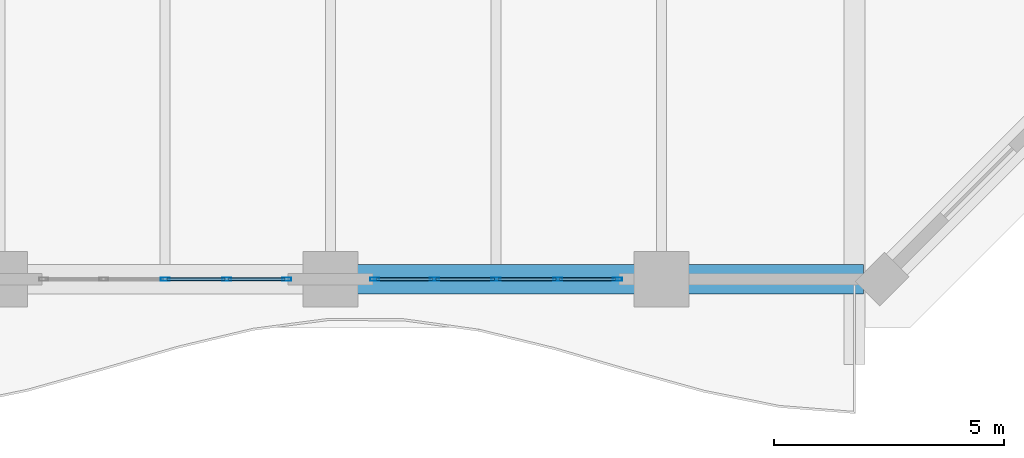
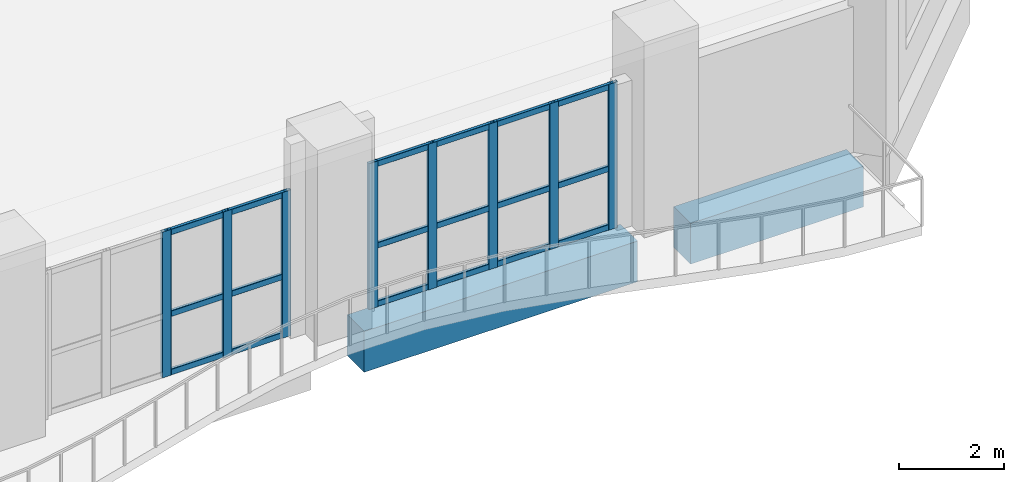
# One storey, part 18 of 37: 26 members, 2 beams, 2 elements without a shape of their own.
"""IFC4 building model written with IfcOpenShell, lengths in metres."""

from ifc_helpers import new_model, si_unit, direction, frame, origin, origin_2d, place, context, subcontext, project, spatial, rectangle, hollow_rectangle, extrude, material, layer, layer_set, material_profile, profile_set, type_object, element, aggregate, save


model = new_model("IFC4")

# Units and contexts
model_context = context("Model", 3, precision=1e-05, world=origin(), true_north=direction((0.0, 1.0)))
body_context = subcontext(model_context, "Body", "Model", "MODEL_VIEW")
ifc_project = project(units=[si_unit("LENGTHUNIT", "METRE"), si_unit("AREAUNIT", "SQUARE_METRE"), si_unit("VOLUMEUNIT", "CUBIC_METRE"), si_unit("PLANEANGLEUNIT", "RADIAN"), si_unit("MASSUNIT", "GRAM", prefix="KILO")], contexts=[model_context])

# Site, building, storey
site_placement = place(None, origin())
site = spatial("IfcSite", under=ifc_project, at=site_placement, CompositionType="ELEMENT")
building_placement = place(site_placement, origin())
building = spatial("IfcBuilding", under=site, at=building_placement, Name="Kaelvorn Grand Hotel", CompositionType="ELEMENT")
storey_placement = place(building_placement, frame((0.0, 0.0, 130.550048828125)))
storey = spatial("IfcBuildingStorey", under=building, at=storey_placement, Name="L31", CompositionType="ELEMENT", Elevation=130.550048828125)

# Beams
ifc_material_1 = material(Name="Concrete C60/75", Category="concrete")
ifc_material_profile_1 = material_profile(ifc_material_1, rectangle(XDim=0.64990234375, YDim=0.949951171875, at=origin_2d()), Name="RC SPANDREL 650x950")
ifc_profile_set_1 = profile_set([ifc_material_profile_1], Name="Concrete C60/75")
beam_type = type_object("IfcBeamType", Name="BM-SP-650x950-C60", PredefinedType="SPANDREL", material=ifc_profile_set_1)
beam_1_placement = place(storey_placement, frame((68.385009765625, 0.0, -0.715087890625), z_axis=(1.0, 0.0, 0.0), x_axis=(0.0, 1.0, 0.0)))
element("IfcBeam", 1, at=beam_1_placement, inside=storey, type_object=beam_type, Name="L31 South Perimeter Spandrel 10", PredefinedType="SPANDREL", context=body_context, shape_type="SweptSolid", body=[
    extrude(rectangle(XDim=0.64990234375, YDim=0.949951171875, at=origin_2d()), origin(), (0.0, 0.0, 1.0), 6.030029296875),
])
beam_2_placement = place(storey_placement, frame((75.5849609375, 0.0, -0.715087890625), z_axis=(1.0, 0.0, 0.0), x_axis=(0.0, 1.0, 0.0)))
element("IfcBeam", 2, at=beam_2_placement, inside=storey, type_object=beam_type, Name="L31 South Perimeter Spandrel 11", PredefinedType="SPANDREL", context=body_context, shape_type="SweptSolid", body=[
    extrude(rectangle(XDim=0.64990234375, YDim=0.949951171875, at=origin_2d()), origin(), (0.0, 0.0, 1.0), 3.81005859375),
])

# Curtain wall, members
ifc_material_2 = material(Name="Anodised Aluminium", Category="aluminium")
ifc_layer = layer(ifc_material_2, 0.199951171875)
ifc_layer_set = layer_set([ifc_layer], Name="Anodised Aluminium")
curtain_wall_type = type_object("IfcCurtainWallType", Name="CW-SYS3", PredefinedType="NOTDEFINED", material=ifc_layer_set)
curtain_wall_1_placement = place(storey_placement, origin())
curtain_wall_1 = element("IfcCurtainWall", 3, at=curtain_wall_1_placement, inside=storey, type_object=curtain_wall_type, Name="L31 Unitised Curtain Wall CW3 (CW-L31-SB4-01)", PredefinedType="NOTDEFINED")
ifc_material_profile_2 = material_profile(ifc_material_2, hollow_rectangle(XDim=0.074951171875, YDim=0.199951171875, WallThickness=0.00390625, InnerFilletRadius=0.00390625, OuterFilletRadius=0.008056640625, at=origin_2d()), Name="ALU MULL 75x200")
ifc_profile_set_2 = profile_set([ifc_material_profile_2], Name="Anodised Aluminium")
member_type_1 = type_object("IfcMemberType", Name="CW-SYS3-MULL", PredefinedType="MULLION", material=ifc_profile_set_2)
member_1_placement = place(storey_placement, frame((64.199951171875, 0.0, 0.0), z_axis=(0.0, 0.0, 1.0), x_axis=(0.0, 1.0, 0.0)))
member_1 = element("IfcMember", 4, at=member_1_placement, type_object=member_type_1, Name="CW3 mullion 3", PredefinedType="MULLION", context=body_context, shape_type="SweptSolid", body=[
    extrude(hollow_rectangle(XDim=0.074951171875, YDim=0.199951171875, WallThickness=0.00390625, InnerFilletRadius=0.00390625, OuterFilletRadius=0.008056640625, at=origin_2d()), origin(), (0.0, 0.0, 1.0), 3.39990234375),
])
member_2_placement = place(storey_placement, frame((65.5400390625, 0.0, 0.0), z_axis=(0.0, 0.0, 1.0), x_axis=(0.0, 1.0, 0.0)))
member_2 = element("IfcMember", 5, at=member_2_placement, type_object=member_type_1, Name="CW3 mullion 4", PredefinedType="MULLION", context=body_context, shape_type="SweptSolid", body=[
    extrude(hollow_rectangle(XDim=0.074951171875, YDim=0.199951171875, WallThickness=0.00390625, InnerFilletRadius=0.00390625, OuterFilletRadius=0.008056640625, at=origin_2d()), origin(), (0.0, 0.0, 1.0), 3.39990234375),
])
member_3_placement = place(storey_placement, frame((66.842529296875, 0.0, 0.0), z_axis=(0.0, 0.0, 1.0), x_axis=(0.0, 1.0, 0.0)))
member_3 = element("IfcMember", 6, at=member_3_placement, type_object=member_type_1, Name="CW3 mullion 5", PredefinedType="MULLION", context=body_context, shape_type="SweptSolid", body=[
    extrude(hollow_rectangle(XDim=0.074951171875, YDim=0.199951171875, WallThickness=0.00390625, InnerFilletRadius=0.00390625, OuterFilletRadius=0.008056640625, at=origin_2d()), origin(), (0.0, 0.0, 1.0), 3.39990234375),
])

curtain_wall_2_placement = place(storey_placement, origin())
curtain_wall_2 = element("IfcCurtainWall", 7, at=curtain_wall_2_placement, inside=storey, type_object=curtain_wall_type, Name="L31 Unitised Curtain Wall CW3 (CW-L31-SB4-02)", PredefinedType="NOTDEFINED")
member_4_placement = place(storey_placement, frame((68.757568359375, 0.0, 0.0), z_axis=(0.0, 0.0, 1.0), x_axis=(0.0, 1.0, 0.0)))
member_4 = element("IfcMember", 8, at=member_4_placement, type_object=member_type_1, Name="CW3 mullion 1", PredefinedType="MULLION", context=body_context, shape_type="SweptSolid", body=[
    extrude(hollow_rectangle(XDim=0.074951171875, YDim=0.199951171875, WallThickness=0.00390625, InnerFilletRadius=0.00390625, OuterFilletRadius=0.008056640625, at=origin_2d()), origin(), (0.0, 0.0, 1.0), 3.39990234375),
])
member_5_placement = place(storey_placement, frame((70.06005859375, 0.0, 0.0), z_axis=(0.0, 0.0, 1.0), x_axis=(0.0, 1.0, 0.0)))
member_5 = element("IfcMember", 9, at=member_5_placement, type_object=member_type_1, Name="CW3 mullion 2", PredefinedType="MULLION", context=body_context, shape_type="SweptSolid", body=[
    extrude(hollow_rectangle(XDim=0.074951171875, YDim=0.199951171875, WallThickness=0.00390625, InnerFilletRadius=0.00390625, OuterFilletRadius=0.008056640625, at=origin_2d()), origin(), (0.0, 0.0, 1.0), 3.39990234375),
])
member_6_placement = place(storey_placement, frame((71.39990234375, 0.0, 0.0), z_axis=(0.0, 0.0, 1.0), x_axis=(0.0, 1.0, 0.0)))
member_6 = element("IfcMember", 10, at=member_6_placement, type_object=member_type_1, Name="CW3 mullion 3", PredefinedType="MULLION", context=body_context, shape_type="SweptSolid", body=[
    extrude(hollow_rectangle(XDim=0.074951171875, YDim=0.199951171875, WallThickness=0.00390625, InnerFilletRadius=0.00390625, OuterFilletRadius=0.008056640625, at=origin_2d()), origin(), (0.0, 0.0, 1.0), 3.39990234375),
])
member_7_placement = place(storey_placement, frame((72.739990234375, 0.0, 0.0), z_axis=(0.0, 0.0, 1.0), x_axis=(0.0, 1.0, 0.0)))
member_7 = element("IfcMember", 11, at=member_7_placement, type_object=member_type_1, Name="CW3 mullion 4", PredefinedType="MULLION", context=body_context, shape_type="SweptSolid", body=[
    extrude(hollow_rectangle(XDim=0.074951171875, YDim=0.199951171875, WallThickness=0.00390625, InnerFilletRadius=0.00390625, OuterFilletRadius=0.008056640625, at=origin_2d()), origin(), (0.0, 0.0, 1.0), 3.39990234375),
])
member_8_placement = place(storey_placement, frame((74.04248046875, 0.0, 0.0), z_axis=(0.0, 0.0, 1.0), x_axis=(0.0, 1.0, 0.0)))
member_8 = element("IfcMember", 12, at=member_8_placement, type_object=member_type_1, Name="CW3 mullion 5", PredefinedType="MULLION", context=body_context, shape_type="SweptSolid", body=[
    extrude(hollow_rectangle(XDim=0.074951171875, YDim=0.199951171875, WallThickness=0.00390625, InnerFilletRadius=0.00390625, OuterFilletRadius=0.008056640625, at=origin_2d()), origin(), (0.0, 0.0, 1.0), 3.39990234375),
])

# Member
ifc_material_profile_3 = material_profile(ifc_material_2, hollow_rectangle(XDim=0.070068359375, YDim=0.135009765625, WallThickness=0.00341796875, InnerFilletRadius=0.00341796875, OuterFilletRadius=0.007080078125, at=origin_2d()), Name="ALU TRAN 70x135")
ifc_profile_set_3 = profile_set([ifc_material_profile_3], Name="Anodised Aluminium")
member_type_2 = type_object("IfcMemberType", Name="CW-SYS3-TRAN", PredefinedType="NOTDEFINED", material=ifc_profile_set_3)
member_9_placement = place(storey_placement, frame((64.237548828125, 0.0, 0.0673828125), z_axis=(1.0, 0.0, 0.0), x_axis=(0.0, 1.0, 0.0)))
member_9 = element("IfcMember", 13, at=member_9_placement, type_object=member_type_2, Name="CW3 transom 3.1", ObjectType="TRANSOM", PredefinedType="USERDEFINED", context=body_context, shape_type="SweptSolid", body=[
    extrude(hollow_rectangle(XDim=0.070068359375, YDim=0.135009765625, WallThickness=0.00341796875, InnerFilletRadius=0.00341796875, OuterFilletRadius=0.007080078125, at=origin_2d()), origin(), (0.0, 0.0, 1.0), 1.264892578125),
])

member_10_placement = place(storey_placement, frame((64.237548828125, 0.0, 1.427978515625), z_axis=(1.0, 0.0, 0.0), x_axis=(0.0, 1.0, 0.0)))
member_10 = element("IfcMember", 14, at=member_10_placement, type_object=member_type_2, Name="CW3 transom 3.2", ObjectType="TRANSOM", PredefinedType="USERDEFINED", context=body_context, shape_type="SweptSolid", body=[
    extrude(hollow_rectangle(XDim=0.070068359375, YDim=0.135009765625, WallThickness=0.00341796875, InnerFilletRadius=0.00341796875, OuterFilletRadius=0.007080078125, at=origin_2d()), origin(), (0.0, 0.0, 1.0), 1.264892578125),
])

member_11_placement = place(storey_placement, frame((64.237548828125, 0.0, 3.33251953125), z_axis=(1.0, 0.0, 0.0), x_axis=(0.0, 1.0, 0.0)))
member_11 = element("IfcMember", 15, at=member_11_placement, type_object=member_type_2, Name="CW3 transom 3.3", ObjectType="TRANSOM", PredefinedType="USERDEFINED", context=body_context, shape_type="SweptSolid", body=[
    extrude(hollow_rectangle(XDim=0.070068359375, YDim=0.135009765625, WallThickness=0.00341796875, InnerFilletRadius=0.00341796875, OuterFilletRadius=0.007080078125, at=origin_2d()), origin(), (0.0, 0.0, 1.0), 1.264892578125),
])

member_12_placement = place(storey_placement, frame((65.577392578125, 0.0, 0.0673828125), z_axis=(1.0, 0.0, 0.0), x_axis=(0.0, 1.0, 0.0)))
member_12 = element("IfcMember", 16, at=member_12_placement, type_object=member_type_2, Name="CW3 transom 4.1", ObjectType="TRANSOM", PredefinedType="USERDEFINED", context=body_context, shape_type="SweptSolid", body=[
    extrude(hollow_rectangle(XDim=0.070068359375, YDim=0.135009765625, WallThickness=0.00341796875, InnerFilletRadius=0.00341796875, OuterFilletRadius=0.007080078125, at=origin_2d()), origin(), (0.0, 0.0, 1.0), 1.2275390625),
])

member_13_placement = place(storey_placement, frame((65.577392578125, 0.0, 1.427978515625), z_axis=(1.0, 0.0, 0.0), x_axis=(0.0, 1.0, 0.0)))
member_13 = element("IfcMember", 17, at=member_13_placement, type_object=member_type_2, Name="CW3 transom 4.2", ObjectType="TRANSOM", PredefinedType="USERDEFINED", context=body_context, shape_type="SweptSolid", body=[
    extrude(hollow_rectangle(XDim=0.070068359375, YDim=0.135009765625, WallThickness=0.00341796875, InnerFilletRadius=0.00341796875, OuterFilletRadius=0.007080078125, at=origin_2d()), origin(), (0.0, 0.0, 1.0), 1.2275390625),
])

member_14_placement = place(storey_placement, frame((65.577392578125, 0.0, 3.33251953125), z_axis=(1.0, 0.0, 0.0), x_axis=(0.0, 1.0, 0.0)))
member_14 = element("IfcMember", 18, at=member_14_placement, type_object=member_type_2, Name="CW3 transom 4.3", ObjectType="TRANSOM", PredefinedType="USERDEFINED", context=body_context, shape_type="SweptSolid", body=[
    extrude(hollow_rectangle(XDim=0.070068359375, YDim=0.135009765625, WallThickness=0.00341796875, InnerFilletRadius=0.00341796875, OuterFilletRadius=0.007080078125, at=origin_2d()), origin(), (0.0, 0.0, 1.0), 1.2275390625),
])

aggregate(curtain_wall_1, [member_1, member_2, member_3, member_9, member_10, member_11, member_12, member_13, member_14])

member_15_placement = place(storey_placement, frame((68.794921875, 0.0, 0.0673828125), z_axis=(1.0, 0.0, 0.0), x_axis=(0.0, 1.0, 0.0)))
member_15 = element("IfcMember", 19, at=member_15_placement, type_object=member_type_2, Name="CW3 transom 1.1", ObjectType="TRANSOM", PredefinedType="USERDEFINED", context=body_context, shape_type="SweptSolid", body=[
    extrude(hollow_rectangle(XDim=0.070068359375, YDim=0.135009765625, WallThickness=0.00341796875, InnerFilletRadius=0.00341796875, OuterFilletRadius=0.007080078125, at=origin_2d()), origin(), (0.0, 0.0, 1.0), 1.2275390625),
])

member_16_placement = place(storey_placement, frame((68.794921875, 0.0, 1.427978515625), z_axis=(1.0, 0.0, 0.0), x_axis=(0.0, 1.0, 0.0)))
member_16 = element("IfcMember", 20, at=member_16_placement, type_object=member_type_2, Name="CW3 transom 1.2", ObjectType="TRANSOM", PredefinedType="USERDEFINED", context=body_context, shape_type="SweptSolid", body=[
    extrude(hollow_rectangle(XDim=0.070068359375, YDim=0.135009765625, WallThickness=0.00341796875, InnerFilletRadius=0.00341796875, OuterFilletRadius=0.007080078125, at=origin_2d()), origin(), (0.0, 0.0, 1.0), 1.2275390625),
])

member_17_placement = place(storey_placement, frame((68.794921875, 0.0, 3.33251953125), z_axis=(1.0, 0.0, 0.0), x_axis=(0.0, 1.0, 0.0)))
member_17 = element("IfcMember", 21, at=member_17_placement, type_object=member_type_2, Name="CW3 transom 1.3", ObjectType="TRANSOM", PredefinedType="USERDEFINED", context=body_context, shape_type="SweptSolid", body=[
    extrude(hollow_rectangle(XDim=0.070068359375, YDim=0.135009765625, WallThickness=0.00341796875, InnerFilletRadius=0.00341796875, OuterFilletRadius=0.007080078125, at=origin_2d()), origin(), (0.0, 0.0, 1.0), 1.2275390625),
])

member_18_placement = place(storey_placement, frame((70.097412109375, 0.0, 0.0673828125), z_axis=(1.0, 0.0, 0.0), x_axis=(0.0, 1.0, 0.0)))
member_18 = element("IfcMember", 22, at=member_18_placement, type_object=member_type_2, Name="CW3 transom 2.1", ObjectType="TRANSOM", PredefinedType="USERDEFINED", context=body_context, shape_type="SweptSolid", body=[
    extrude(hollow_rectangle(XDim=0.070068359375, YDim=0.135009765625, WallThickness=0.00341796875, InnerFilletRadius=0.00341796875, OuterFilletRadius=0.007080078125, at=origin_2d()), origin(), (0.0, 0.0, 1.0), 1.26513671875),
])

member_19_placement = place(storey_placement, frame((70.097412109375, 0.0, 1.427978515625), z_axis=(1.0, 0.0, 0.0), x_axis=(0.0, 1.0, 0.0)))
member_19 = element("IfcMember", 23, at=member_19_placement, type_object=member_type_2, Name="CW3 transom 2.2", ObjectType="TRANSOM", PredefinedType="USERDEFINED", context=body_context, shape_type="SweptSolid", body=[
    extrude(hollow_rectangle(XDim=0.070068359375, YDim=0.135009765625, WallThickness=0.00341796875, InnerFilletRadius=0.00341796875, OuterFilletRadius=0.007080078125, at=origin_2d()), origin(), (0.0, 0.0, 1.0), 1.26513671875),
])

member_20_placement = place(storey_placement, frame((70.097412109375, 0.0, 3.33251953125), z_axis=(1.0, 0.0, 0.0), x_axis=(0.0, 1.0, 0.0)))
member_20 = element("IfcMember", 24, at=member_20_placement, type_object=member_type_2, Name="CW3 transom 2.3", ObjectType="TRANSOM", PredefinedType="USERDEFINED", context=body_context, shape_type="SweptSolid", body=[
    extrude(hollow_rectangle(XDim=0.070068359375, YDim=0.135009765625, WallThickness=0.00341796875, InnerFilletRadius=0.00341796875, OuterFilletRadius=0.007080078125, at=origin_2d()), origin(), (0.0, 0.0, 1.0), 1.26513671875),
])

member_21_placement = place(storey_placement, frame((71.4375, 0.0, 0.0673828125), z_axis=(1.0, 0.0, 0.0), x_axis=(0.0, 1.0, 0.0)))
member_21 = element("IfcMember", 25, at=member_21_placement, type_object=member_type_2, Name="CW3 transom 3.1", ObjectType="TRANSOM", PredefinedType="USERDEFINED", context=body_context, shape_type="SweptSolid", body=[
    extrude(hollow_rectangle(XDim=0.070068359375, YDim=0.135009765625, WallThickness=0.00341796875, InnerFilletRadius=0.00341796875, OuterFilletRadius=0.007080078125, at=origin_2d()), origin(), (0.0, 0.0, 1.0), 1.264892578125),
])

member_22_placement = place(storey_placement, frame((71.4375, 0.0, 1.427978515625), z_axis=(1.0, 0.0, 0.0), x_axis=(0.0, 1.0, 0.0)))
member_22 = element("IfcMember", 26, at=member_22_placement, type_object=member_type_2, Name="CW3 transom 3.2", ObjectType="TRANSOM", PredefinedType="USERDEFINED", context=body_context, shape_type="SweptSolid", body=[
    extrude(hollow_rectangle(XDim=0.070068359375, YDim=0.135009765625, WallThickness=0.00341796875, InnerFilletRadius=0.00341796875, OuterFilletRadius=0.007080078125, at=origin_2d()), origin(), (0.0, 0.0, 1.0), 1.264892578125),
])

member_23_placement = place(storey_placement, frame((71.4375, 0.0, 3.33251953125), z_axis=(1.0, 0.0, 0.0), x_axis=(0.0, 1.0, 0.0)))
member_23 = element("IfcMember", 27, at=member_23_placement, type_object=member_type_2, Name="CW3 transom 3.3", ObjectType="TRANSOM", PredefinedType="USERDEFINED", context=body_context, shape_type="SweptSolid", body=[
    extrude(hollow_rectangle(XDim=0.070068359375, YDim=0.135009765625, WallThickness=0.00341796875, InnerFilletRadius=0.00341796875, OuterFilletRadius=0.007080078125, at=origin_2d()), origin(), (0.0, 0.0, 1.0), 1.264892578125),
])

member_24_placement = place(storey_placement, frame((72.777587890625, 0.0, 0.0673828125), z_axis=(1.0, 0.0, 0.0), x_axis=(0.0, 1.0, 0.0)))
member_24 = element("IfcMember", 28, at=member_24_placement, type_object=member_type_2, Name="CW3 transom 4.1", ObjectType="TRANSOM", PredefinedType="USERDEFINED", context=body_context, shape_type="SweptSolid", body=[
    extrude(hollow_rectangle(XDim=0.070068359375, YDim=0.135009765625, WallThickness=0.00341796875, InnerFilletRadius=0.00341796875, OuterFilletRadius=0.007080078125, at=origin_2d()), origin(), (0.0, 0.0, 1.0), 1.227294921875),
])

member_25_placement = place(storey_placement, frame((72.777587890625, 0.0, 1.427978515625), z_axis=(1.0, 0.0, 0.0), x_axis=(0.0, 1.0, 0.0)))
member_25 = element("IfcMember", 29, at=member_25_placement, type_object=member_type_2, Name="CW3 transom 4.2", ObjectType="TRANSOM", PredefinedType="USERDEFINED", context=body_context, shape_type="SweptSolid", body=[
    extrude(hollow_rectangle(XDim=0.070068359375, YDim=0.135009765625, WallThickness=0.00341796875, InnerFilletRadius=0.00341796875, OuterFilletRadius=0.007080078125, at=origin_2d()), origin(), (0.0, 0.0, 1.0), 1.227294921875),
])

member_26_placement = place(storey_placement, frame((72.777587890625, 0.0, 3.33251953125), z_axis=(1.0, 0.0, 0.0), x_axis=(0.0, 1.0, 0.0)))
member_26 = element("IfcMember", 30, at=member_26_placement, type_object=member_type_2, Name="CW3 transom 4.3", ObjectType="TRANSOM", PredefinedType="USERDEFINED", context=body_context, shape_type="SweptSolid", body=[
    extrude(hollow_rectangle(XDim=0.070068359375, YDim=0.135009765625, WallThickness=0.00341796875, InnerFilletRadius=0.00341796875, OuterFilletRadius=0.007080078125, at=origin_2d()), origin(), (0.0, 0.0, 1.0), 1.227294921875),
])

aggregate(curtain_wall_2, [member_4, member_5, member_6, member_7, member_8, member_15, member_16, member_17, member_18, member_19, member_20, member_21, member_22, member_23, member_24, member_25, member_26])

save(model, "model.ifc")
